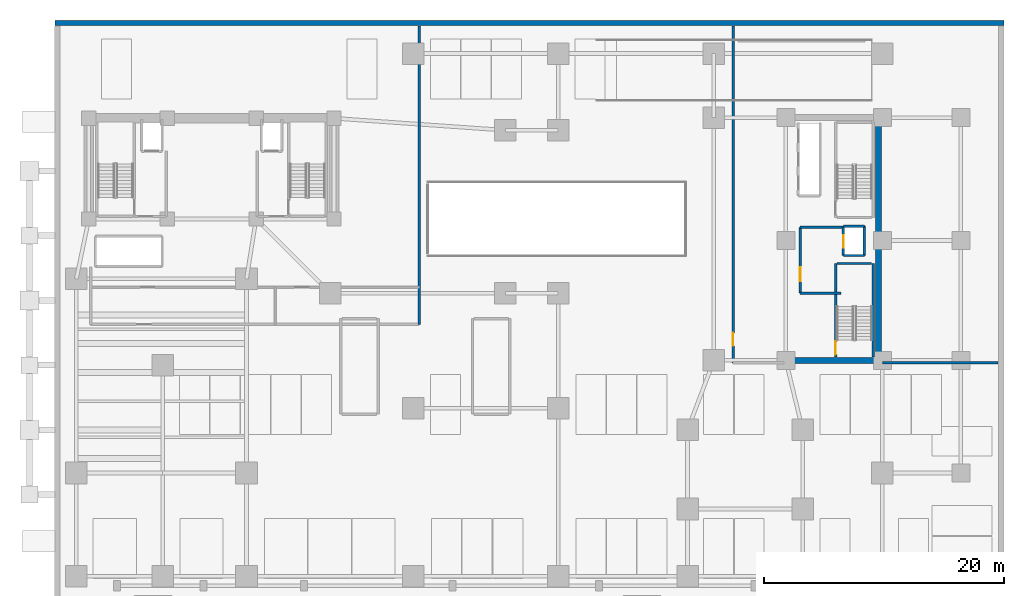
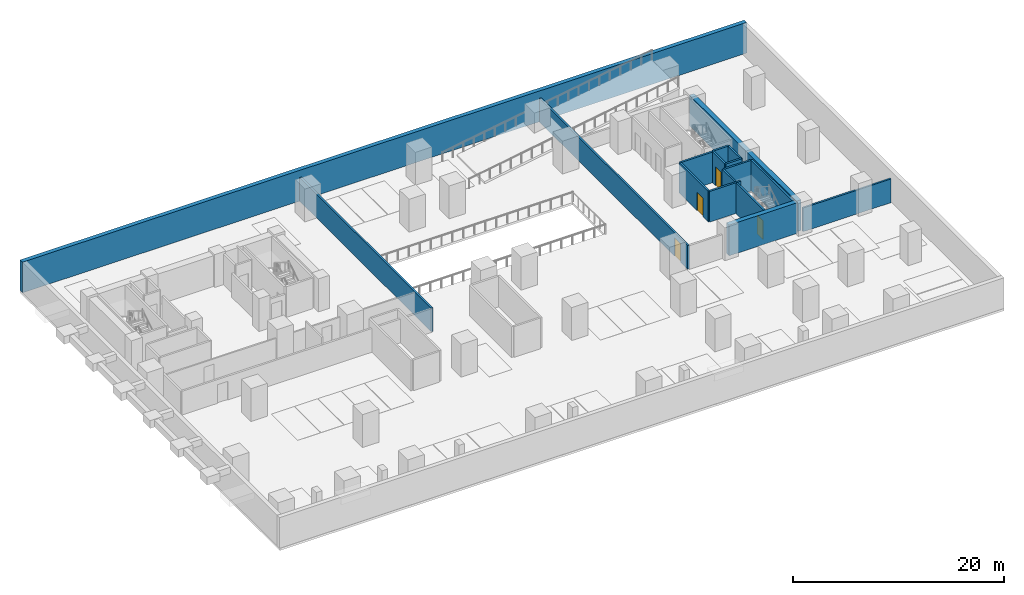
# One storey, part 4 of 9: 16 walls, 4 doors, 4 openings.
"""IFC4 building model written with IfcOpenShell, lengths in metres."""

from ifc_helpers import new_model, si_unit, direction, frame, frame_2d, origin, place, context, subcontext, project, spatial, rectangle, extrude, material, layer, layer_set, type_object, element, fill, save


model = new_model("IFC4")

# Units and contexts
model_context = context("Model", 3, precision=1e-05, world=origin(), true_north=direction((0.0, 1.0)))
body_context = subcontext(model_context, "Body", "Model", "MODEL_VIEW")
ifc_project = project(units=[si_unit("LENGTHUNIT", "METRE"), si_unit("AREAUNIT", "SQUARE_METRE"), si_unit("VOLUMEUNIT", "CUBIC_METRE"), si_unit("PLANEANGLEUNIT", "RADIAN"), si_unit("MASSUNIT", "GRAM", prefix="KILO")], contexts=[model_context])

# Site, building, storey
site_placement = place(None, origin())
site = spatial("IfcSite", under=ifc_project, at=site_placement, CompositionType="ELEMENT")
building_placement = place(site_placement, origin())
building = spatial("IfcBuilding", under=site, at=building_placement, Name="Kuzgunbayir Cultural Tower", CompositionType="ELEMENT")
storey_placement = place(building_placement, frame((0.0, 0.0, -3.800048828125)))
storey = spatial("IfcBuildingStorey", under=building, at=storey_placement, Name="B01", CompositionType="ELEMENT", Elevation=-3.800048828125)

# Wall
ifc_material_1 = material(Name="Concrete C40/50", Category="concrete")
ifc_layer_1 = layer(ifc_material_1, 0.449951171875)
ifc_layer_set_1 = layer_set([ifc_layer_1], Name="Concrete C40/50")
wall_type_1 = type_object("IfcWallType", Name="WAL-EXT-BSM-450", PredefinedType="SOLIDWALL", material=ifc_layer_set_1)
wall_1_placement = place(storey_placement, frame((82.800048828125, 50.14990234375, 0.0), z_axis=(0.0, 0.0, 1.0), x_axis=(-1.0, 0.0, 0.0)))
element("IfcWall", 1, at=wall_1_placement, inside=storey, type_object=wall_type_1, Name="B01 North Retaining Wall", PredefinedType="SOLIDWALL", context=body_context, shape_type="SweptSolid", body=[
    extrude(rectangle(XDim=79.199951171875, YDim=0.449951171875, at=frame_2d((39.60009765625, 0.0))), origin(), (0.0, 0.0, 1.0), 3.550048828125),
])

# Wall, opening, door
ifc_material_2 = material(Name="Aerated Concrete Blockwork", Category="masonry")
ifc_layer_2 = layer(ifc_material_2, 0.199951171875)
ifc_layer_set_2 = layer_set([ifc_layer_2], Name="Aerated Concrete Blockwork")
wall_type_2 = type_object("IfcWallType", Name="WAL-PART-FIRE-200", PredefinedType="PARTITIONING", material=ifc_layer_set_2)
wall_2_placement = place(storey_placement, frame((65.800048828125, 27.60009765625, 0.0), z_axis=(0.0, 0.0, 1.0), x_axis=(0.0, 1.0, 0.0)))
wall_2 = element("IfcWall", 2, at=wall_2_placement, inside=storey, type_object=wall_type_2, Name="B01 FFL-3 Lobby West Fire Wall", PredefinedType="PARTITIONING", context=body_context, shape_type="SweptSolid", body=[
    extrude(rectangle(XDim=5.5, YDim=0.199951171875, at=frame_2d((2.75, 0.0))), origin(), (0.0, 0.0, 1.0), 3.550048828125),
])
opening_1_placement = place(wall_2_placement, frame((1.0, 0.0, 0.0)))
opening_1 = element("IfcOpeningElement", 3, at=opening_1_placement, cuts=wall_2, Name="Opening DR-FFL-90", PredefinedType="OPENING", context=body_context, shape_type="SweptSolid", body=[
    extrude(rectangle(XDim=1.14990234375, YDim=2.14990234375, at=frame_2d((0.574951171875, 1.074951171875))), frame((0.0, 0.10986328125, 0.0), z_axis=(0.0, -1.0, 0.0), x_axis=(1.0, 0.0, 0.0)), (0.0, 0.0, 1.0), 0.219970703125),
])
ifc_material_3 = material(Name="Steel S355J2", Category="steel")
door_type_1 = type_object("IfcDoorType", Name="DR-FFL-90", OperationType="NOTDEFINED", PredefinedType="DOOR", material=ifc_material_3)
door_1_placement = place(opening_1_placement, origin())
door_1 = element("IfcDoor", 4, at=door_1_placement, inside=storey, type_object=door_type_1, Name="B01 Firefighting Lobby 3 Door", OperationType="SINGLE_SWING_RIGHT", OverallHeight=2.14990234375, OverallWidth=1.14990234375, PredefinedType="DOOR", context=body_context, shape_type="SweptSolid", body=[
    extrude(rectangle(XDim=1.14990234375, YDim=2.14990234375, at=frame_2d((0.574951171875, 1.074951171875))), frame((0.0, 0.02490234375, 0.0), z_axis=(0.0, -1.0, 0.0), x_axis=(1.0, 0.0, 0.0)), (0.0, 0.0, 1.0), 0.050048828125),
])
fill(opening_1, door_1)

# Walls
wall_3_placement = place(storey_placement, frame((65.800048828125, 33.10009765625, 0.0), z_axis=(0.0, 0.0, 1.0), x_axis=(1.0, 0.0, 0.0)))
element("IfcWall", 5, at=wall_3_placement, inside=storey, type_object=wall_type_2, Name="B01 FFL-3 Lobby North Fire Wall", PredefinedType="PARTITIONING", context=body_context, shape_type="SweptSolid", body=[
    extrude(rectangle(XDim=3.599853515625, YDim=0.199951171875, at=frame_2d((1.7998046875, 0.0))), origin(), (0.0, 0.0, 1.0), 3.550048828125),
])
wall_4_placement = place(storey_placement, frame((65.800048828125, 27.60009765625, 0.0), z_axis=(0.0, 0.0, 1.0), x_axis=(1.0, 0.0, 0.0)))
element("IfcWall", 6, at=wall_4_placement, inside=storey, type_object=wall_type_2, Name="B01 FFL-3 Lobby South Fire Wall", PredefinedType="PARTITIONING", context=body_context, shape_type="SweptSolid", body=[
    extrude(rectangle(XDim=3.39990234375, YDim=0.199951171875, at=frame_2d((1.699951171875, 0.0))), origin(), (0.0, 0.0, 1.0), 3.550048828125),
])
wall_5_placement = place(storey_placement, frame((34.0, 25.0, 0.0), z_axis=(0.0, 0.0, 1.0), x_axis=(0.0, 1.0, 0.0)))
element("IfcWall", 7, at=wall_5_placement, inside=storey, type_object=wall_type_2, Name="B01 Basement Core East Fire Wall", PredefinedType="PARTITIONING", context=body_context, shape_type="SweptSolid", body=[
    extrude(rectangle(XDim=24.89990234375, YDim=0.199951171875, at=frame_2d((12.449951171875, 0.0))), origin(), (0.0, 0.0, 1.0), 2.739990234375),
])

# Wall, opening, door
wall_6_placement = place(storey_placement, frame((60.199951171875, 21.800048828125, 0.0), z_axis=(0.0, 0.0, 1.0), x_axis=(0.0, 1.0, 0.0)))
wall_6 = element("IfcWall", 8, at=wall_6_placement, inside=storey, type_object=wall_type_2, Name="B01 Companion Basement Core Fire Wall", PredefinedType="PARTITIONING", context=body_context, shape_type="SweptSolid", body=[
    extrude(rectangle(XDim=28.099853515625, YDim=0.199951171875, at=frame_2d((14.0498046875, 0.0))), origin(), (0.0, 0.0, 1.0), 2.739990234375),
])
opening_2_placement = place(wall_6_placement, frame((1.39990234375, 0.0, 0.0)))
opening_2 = element("IfcOpeningElement", 9, at=opening_2_placement, cuts=wall_6, Name="Opening DR-STAIR-90", PredefinedType="OPENING", context=body_context, shape_type="SweptSolid", body=[
    extrude(rectangle(XDim=1.10009765625, YDim=2.14990234375, at=frame_2d((0.550048828125, 1.074951171875))), frame((0.0, 0.10986328125, 0.0), z_axis=(0.0, -1.0, 0.0), x_axis=(1.0, 0.0, 0.0)), (0.0, 0.0, 1.0), 0.219970703125),
])
door_type_2 = type_object("IfcDoorType", Name="DR-STAIR-90", OperationType="NOTDEFINED", PredefinedType="DOOR", material=ifc_material_3)
door_2_placement = place(opening_2_placement, origin())
door_2 = element("IfcDoor", 10, at=door_2_placement, inside=storey, type_object=door_type_2, Name="B01 Parking to Companion Core Corridor Door", OperationType="SINGLE_SWING_RIGHT", OverallHeight=2.14990234375, OverallWidth=1.10009765625, PredefinedType="DOOR", context=body_context, shape_type="SweptSolid", body=[
    extrude(rectangle(XDim=1.10009765625, YDim=2.14990234375, at=frame_2d((0.550048828125, 1.074951171875))), frame((0.0, 0.02490234375, 0.0), z_axis=(0.0, -1.0, 0.0), x_axis=(1.0, 0.0, 0.0)), (0.0, 0.0, 1.0), 0.050048828125),
])
fill(opening_2, door_2)

# Wall
wall_7_placement = place(storey_placement, frame((72.64990234375, 21.800048828125, 0.0), z_axis=(0.0, 0.0, 1.0), x_axis=(1.0, 0.0, 0.0)))
element("IfcWall", 11, at=wall_7_placement, inside=storey, type_object=wall_type_2, Name="B01 Companion Basement East Wall", PredefinedType="PARTITIONING", context=body_context, shape_type="SweptSolid", body=[
    extrude(rectangle(XDim=9.650146484375, YDim=0.199951171875, at=frame_2d((4.8251953125, 0.0))), origin(), (0.0, 0.0, 1.0), 2.739990234375),
])

# Wall, opening, door
ifc_layer_3 = layer(ifc_material_1, 0.199951171875)
ifc_layer_set_3 = layer_set([ifc_layer_3], Name="Concrete C40/50")
wall_type_3 = type_object("IfcWallType", Name="WAL-SHAFT-200", PredefinedType="MOVABLE", material=ifc_layer_set_3)
wall_8_placement = place(storey_placement, frame((69.39990234375, 30.75, 0.0), z_axis=(0.0, 0.0, 1.0), x_axis=(0.0, 1.0, 0.0)))
wall_8 = element("IfcWall", 12, at=wall_8_placement, inside=storey, type_object=wall_type_3, Name="B01 FFL-3 Lift Front Wall", PredefinedType="MOVABLE", context=body_context, shape_type="SweptSolid", body=[
    extrude(rectangle(XDim=2.449951171875, YDim=0.199951171875, at=frame_2d((1.22509765625, 0.0))), origin(), (0.0, 0.0, 1.0), 3.550048828125),
])
opening_3_placement = place(wall_8_placement, frame((0.64990234375, 0.0, 0.0)))
opening_3 = element("IfcOpeningElement", 13, at=opening_3_placement, cuts=wall_8, Name="Opening LD", PredefinedType="OPENING", context=body_context, shape_type="SweptSolid", body=[
    extrude(rectangle(XDim=1.050048828125, YDim=2.14990234375, at=frame_2d((0.52490234375, 1.074951171875))), frame((0.0, 0.10986328125, 0.0), z_axis=(0.0, -1.0, 0.0), x_axis=(1.0, 0.0, 0.0)), (0.0, 0.0, 1.0), 0.219970703125),
])
ifc_material_4 = material(Name="Brushed Stainless Steel", Category="steel")
door_type_3 = type_object("IfcDoorType", Name="DR-LIFT-LANDING", OperationType="SLIDING_TO_LEFT", PredefinedType="DOOR", material=ifc_material_4)
door_3_placement = place(opening_3_placement, origin())
door_3 = element("IfcDoor", 14, at=door_3_placement, inside=storey, type_object=door_type_3, Name="B01 Lift FFL-3 Landing Door", OperationType="SLIDING_TO_LEFT", OverallHeight=2.14990234375, OverallWidth=1.050048828125, PredefinedType="DOOR", context=body_context, shape_type="SweptSolid", body=[
    extrude(rectangle(XDim=1.050048828125, YDim=2.14990234375, at=frame_2d((0.52490234375, 1.074951171875))), frame((0.0, 0.02490234375, 0.0), z_axis=(0.0, -1.0, 0.0), x_axis=(1.0, 0.0, 0.0)), (0.0, 0.0, 1.0), 0.050048828125),
])
fill(opening_3, door_3)

# Walls
wall_9_placement = place(storey_placement, frame((71.14990234375, 30.75, 0.0), z_axis=(0.0, 0.0, 1.0), x_axis=(0.0, 1.0, 0.0)))
element("IfcWall", 15, at=wall_9_placement, inside=storey, type_object=wall_type_3, Name="B01 FFL-3 Shaft Back Wall", PredefinedType="MOVABLE", context=body_context, shape_type="SweptSolid", body=[
    extrude(rectangle(XDim=2.449951171875, YDim=0.199951171875, at=frame_2d((1.22509765625, 0.0))), origin(), (0.0, 0.0, 1.0), 3.550048828125),
])
for number, where, z_axis, x_axis, name in (
    (16, (69.39990234375, 33.199951171875, 0.0), (0.0, 0.0, 1.0), (1.0, 0.0, 0.0), "B01 FFL-3 Shaft North Wall"),
    (17, (69.39990234375, 30.75, 0.0), (0.0, 0.0, 1.0), (1.0, 0.0, 0.0), "B01 FFL-3 Shaft South Wall"),
):
    element("IfcWall", number, at=place(storey_placement, frame(where, z_axis=z_axis, x_axis=x_axis)), inside=storey, type_object=wall_type_3, Name=name, PredefinedType="MOVABLE", context=body_context, shape_type="SweptSolid", body=[
        extrude(rectangle(XDim=1.75, YDim=0.199951171875, at=frame_2d((0.875, 0.0))), origin(), (0.0, 0.0, 1.0), 3.550048828125),
    ])

# Wall, opening, door
ifc_layer_4 = layer(ifc_material_1, 0.199951171875)
ifc_layer_set_4 = layer_set([ifc_layer_4], Name="Concrete C40/50")
wall_type_4 = type_object("IfcWallType", Name="WAL-STAIR-RC-200", PredefinedType="SHEAR", material=ifc_layer_set_4)
wall_10_placement = place(storey_placement, frame((68.760009765625, 22.260009765625, 0.0), z_axis=(0.0, 0.0, 1.0), x_axis=(0.0, 1.0, 0.0)))
wall_10 = element("IfcWall", 18, at=wall_10_placement, inside=storey, type_object=wall_type_4, Name="B01 Stair ST-3 West Structural Wall", PredefinedType="SHEAR", context=body_context, shape_type="SweptSolid", body=[
    extrude(rectangle(XDim=7.820068359375, YDim=0.199951171875, at=frame_2d((3.91015625, 0.0))), origin(), (0.0, 0.0, 1.0), 3.550048828125),
])
opening_4_placement = place(wall_10_placement, frame((0.219970703125, 0.0, 0.0)))
opening_4 = element("IfcOpeningElement", 19, at=opening_4_placement, cuts=wall_10, Name="Opening DR-STAIR-90", PredefinedType="OPENING", context=body_context, shape_type="SweptSolid", body=[
    extrude(rectangle(XDim=1.10009765625, YDim=2.14990234375, at=frame_2d((0.550048828125, 1.074951171875))), frame((0.0, 0.10986328125, 0.0), z_axis=(0.0, -1.0, 0.0), x_axis=(1.0, 0.0, 0.0)), (0.0, 0.0, 1.0), 0.219970703125),
])
door_4_placement = place(opening_4_placement, origin())
door_4 = element("IfcDoor", 20, at=door_4_placement, inside=storey, type_object=door_type_2, Name="B01 Stair ST-3 Fire Door", OperationType="SINGLE_SWING_LEFT", OverallHeight=2.14990234375, OverallWidth=1.10009765625, PredefinedType="DOOR", context=body_context, shape_type="SweptSolid", body=[
    extrude(rectangle(XDim=1.10009765625, YDim=2.14990234375, at=frame_2d((0.550048828125, 1.074951171875))), frame((0.0, 0.02490234375, 0.0), z_axis=(0.0, -1.0, 0.0), x_axis=(1.0, 0.0, 0.0)), (0.0, 0.0, 1.0), 0.050048828125),
])
fill(opening_4, door_4)

# Walls
wall_11_placement = place(storey_placement, frame((71.8798828125, 22.260009765625, 0.0), z_axis=(0.0, 0.0, 1.0), x_axis=(0.0, 1.0, 0.0)))
element("IfcWall", 21, at=wall_11_placement, inside=storey, type_object=wall_type_4, Name="B01 Stair ST-3 East Structural Wall", PredefinedType="SHEAR", context=body_context, shape_type="SweptSolid", body=[
    extrude(rectangle(XDim=7.820068359375, YDim=0.199951171875, at=frame_2d((3.91015625, 0.0))), origin(), (0.0, 0.0, 1.0), 3.550048828125),
])
wall_12_placement = place(storey_placement, frame((68.8798828125, 30.080078125, 0.0), z_axis=(0.0, 0.0, 1.0), x_axis=(1.0, 0.0, 0.0)))
element("IfcWall", 22, at=wall_12_placement, inside=storey, type_object=wall_type_4, Name="B01 Stair ST-3 North Structural Wall", PredefinedType="SHEAR", context=body_context, shape_type="SweptSolid", body=[
    extrude(rectangle(XDim=2.880126953125, YDim=0.199951171875, at=frame_2d((1.43994140625, 0.0))), origin(), (0.0, 0.0, 1.0), 3.550048828125),
])
ifc_material_5 = material(Name="Concrete C60/75", Category="concrete")
ifc_layer_5 = layer(ifc_material_5, 0.5)
ifc_layer_set_5 = layer_set([ifc_layer_5], Name="Concrete C60/75")
wall_type_5 = type_object("IfcWallType", Name="WAL-T2-CORE-500", PredefinedType="SHEAR", material=ifc_layer_set_5)
wall_13_placement = place(storey_placement, frame((72.35009765625, 22.0, 0.0), z_axis=(0.0, 0.0, 1.0), x_axis=(0.0, 1.0, 0.0)))
element("IfcWall", 23, at=wall_13_placement, inside=storey, type_object=wall_type_5, Name="B01 Companion Core East Shear Wall", PredefinedType="SHEAR", context=body_context, shape_type="SweptSolid", body=[
    extrude(rectangle(XDim=20.25, YDim=0.5, at=frame_2d((10.125, 0.0))), origin(), (0.0, 0.0, 1.0), 3.550048828125),
])
wall_14_placement = place(storey_placement, frame((64.60009765625, 22.0, 0.0), z_axis=(0.0, 0.0, 1.0), x_axis=(1.0, 0.0, 0.0)))
element("IfcWall", 24, at=wall_14_placement, inside=storey, type_object=wall_type_5, Name="B01 Companion Core South Shear Wall", PredefinedType="SHEAR", context=body_context, shape_type="SweptSolid", body=[
    extrude(rectangle(XDim=7.5, YDim=0.5, at=frame_2d((3.75, 0.0))), origin(), (0.0, 0.0, 1.0), 3.550048828125),
])

save(model, "model.ifc")
